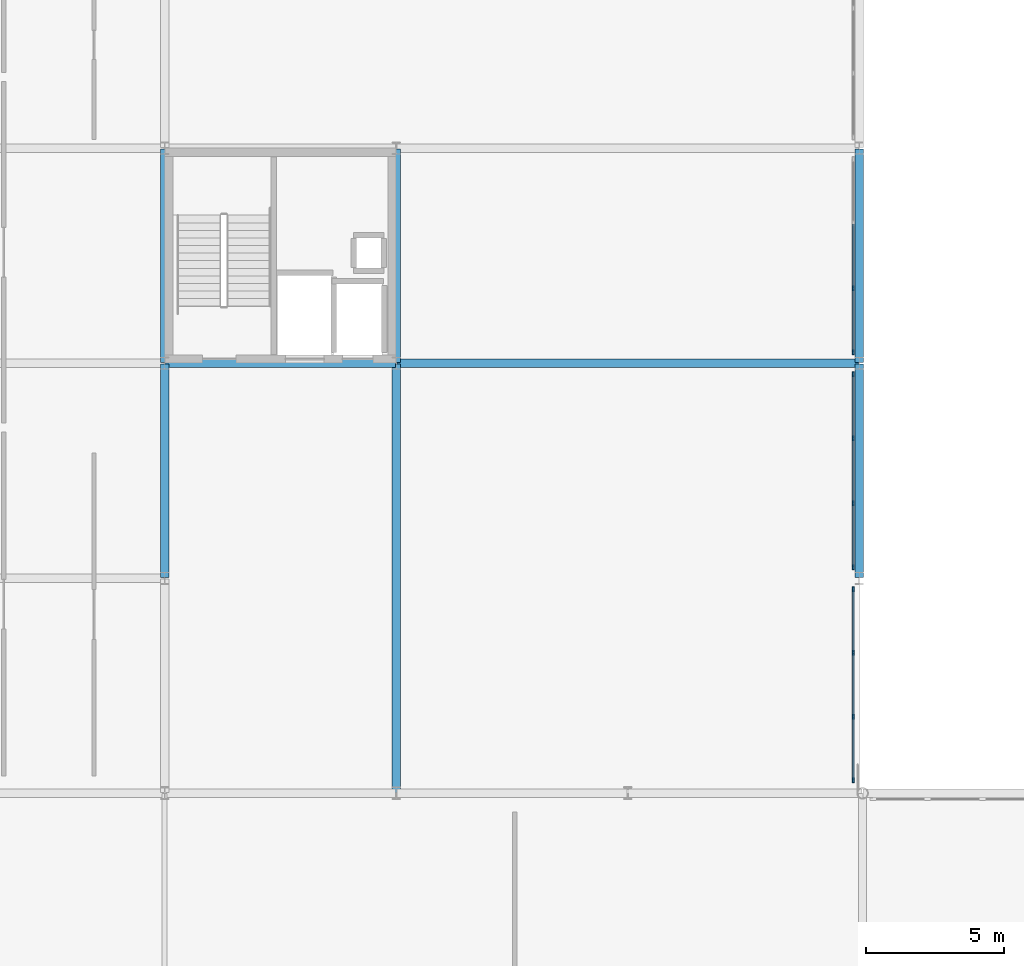
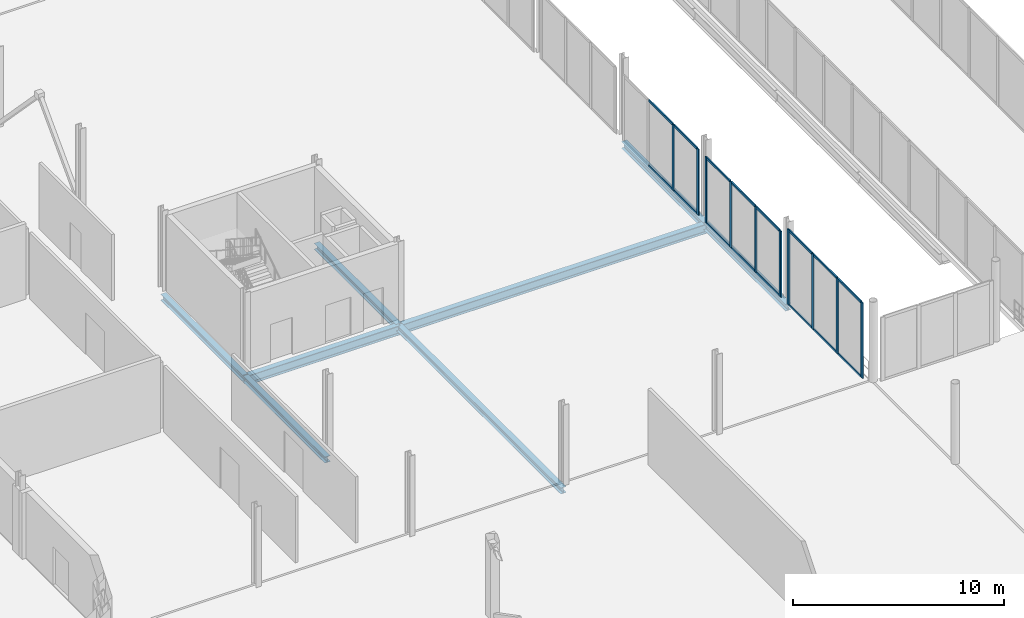
# One storey, part 27 of 98: 26 members, 8 beams, 3 elements without a shape of their own.
"""IFC4 building model written with IfcOpenShell, lengths in metres."""

from ifc_helpers import new_model, si_unit, direction, frame, origin, origin_2d, place, context, subcontext, project, spatial, rectangle, i_section, extrude, material, material_profile, profile_set, type_object, element, aggregate, save


model = new_model("IFC4")

# Units and contexts
model_context = context("Model", 3, precision=1e-05, world=origin(), true_north=direction((0.0, 1.0)))
body_context = subcontext(model_context, "Body", "Model", "MODEL_VIEW")
ifc_project = project(units=[si_unit("LENGTHUNIT", "METRE"), si_unit("AREAUNIT", "SQUARE_METRE"), si_unit("VOLUMEUNIT", "CUBIC_METRE"), si_unit("PLANEANGLEUNIT", "RADIAN"), si_unit("MASSUNIT", "GRAM", prefix="KILO")], contexts=[model_context])

# Site, building, storey
site_placement = place(None, origin())
site = spatial("IfcSite", under=ifc_project, at=site_placement, CompositionType="ELEMENT")
building_placement = place(site_placement, origin())
building = spatial("IfcBuilding", under=site, at=building_placement, Name="Nabrawat Pavilion Hospital", CompositionType="ELEMENT")
storey_placement = place(building_placement, frame((0.0, 0.0, 10.199951171875)))
storey = spatial("IfcBuildingStorey", under=building, at=storey_placement, Name="L02", CompositionType="ELEMENT", Elevation=10.199951171875)

# Curtain wall, members
ifc_material_1 = material(Name="Anodised Aluminium", Category="aluminium")
curtain_wall_type = type_object("IfcCurtainWallType", Name="Healing Garden Cloister Curtain Wall", PredefinedType="USERDEFINED", material=ifc_material_1)
curtain_wall_1_placement = place(storey_placement, origin())
curtain_wall_1 = element("IfcCurtainWall", 1, at=curtain_wall_1_placement, inside=storey, type_object=curtain_wall_type, Name="L02 Healing Garden Cloister Curtain Wall 108", ObjectType="CURTAIN WALL", PredefinedType="USERDEFINED")
ifc_material_profile_1 = material_profile(ifc_material_1, rectangle(XDim=0.06494140625, YDim=0.179931640625, at=origin_2d()), Name="CWM 65x180")
ifc_profile_set_1 = profile_set([ifc_material_profile_1], Name="Anodised Aluminium")
member_type_1 = type_object("IfcMemberType", Name="Healing Garden Cloister Curtain Wall Mullion CWM 65x180", PredefinedType="MULLION", material=ifc_profile_set_1)
member_1_placement = place(storey_placement, frame((58.580078125, 39.472412109375, 0.0), z_axis=(0.0, 0.0, 1.0), x_axis=(-1.0, 0.0, 0.0)))
member_1 = element("IfcMember", 2, at=member_1_placement, type_object=member_type_1, Name="CW-CLN-01 mullion 1", PredefinedType="MULLION", context=body_context, shape_type="SweptSolid", body=[
    extrude(rectangle(XDim=0.06494140625, YDim=0.179931640625, at=origin_2d()), origin(), (0.0, 0.0, 1.0), 4.360107421875),
])
member_2_placement = place(storey_placement, frame((58.580078125, 41.771728515625, 0.0), z_axis=(0.0, 0.0, 1.0), x_axis=(-1.0, 0.0, 0.0)))
member_2 = element("IfcMember", 3, at=member_2_placement, type_object=member_type_1, Name="CW-CLN-01 mullion 2", PredefinedType="MULLION", context=body_context, shape_type="SweptSolid", body=[
    extrude(rectangle(XDim=0.06494140625, YDim=0.179931640625, at=origin_2d()), origin(), (0.0, 0.0, 1.0), 4.360107421875),
])
member_3_placement = place(storey_placement, frame((58.580078125, 44.103271484375, 0.0), z_axis=(0.0, 0.0, 1.0), x_axis=(-1.0, 0.0, 0.0)))
member_3 = element("IfcMember", 4, at=member_3_placement, type_object=member_type_1, Name="CW-CLN-01 mullion 3", PredefinedType="MULLION", context=body_context, shape_type="SweptSolid", body=[
    extrude(rectangle(XDim=0.06494140625, YDim=0.179931640625, at=origin_2d()), origin(), (0.0, 0.0, 1.0), 4.360107421875),
])
member_4_placement = place(storey_placement, frame((58.580078125, 46.402587890625, 0.0), z_axis=(0.0, 0.0, 1.0), x_axis=(-1.0, 0.0, 0.0)))
member_4 = element("IfcMember", 5, at=member_4_placement, type_object=member_type_1, Name="CW-CLN-01 mullion 4", PredefinedType="MULLION", context=body_context, shape_type="SweptSolid", body=[
    extrude(rectangle(XDim=0.06494140625, YDim=0.179931640625, at=origin_2d()), origin(), (0.0, 0.0, 1.0), 4.360107421875),
])

curtain_wall_2_placement = place(storey_placement, origin())
curtain_wall_2 = element("IfcCurtainWall", 6, at=curtain_wall_2_placement, inside=storey, type_object=curtain_wall_type, Name="L02 Healing Garden Cloister Curtain Wall 109", ObjectType="CURTAIN WALL", PredefinedType="USERDEFINED")
member_5_placement = place(storey_placement, frame((58.580078125, 47.197509765625, 0.0), z_axis=(0.0, 0.0, 1.0), x_axis=(-1.0, 0.0, 0.0)))
member_5 = element("IfcMember", 7, at=member_5_placement, type_object=member_type_1, Name="CW-CLN-01 mullion 1", PredefinedType="MULLION", context=body_context, shape_type="SweptSolid", body=[
    extrude(rectangle(XDim=0.06494140625, YDim=0.179931640625, at=origin_2d()), origin(), (0.0, 0.0, 1.0), 3.820068359375),
])
member_6_placement = place(storey_placement, frame((58.580078125, 49.521728515625, 0.0), z_axis=(0.0, 0.0, 1.0), x_axis=(-1.0, 0.0, 0.0)))
member_6 = element("IfcMember", 8, at=member_6_placement, type_object=member_type_1, Name="CW-CLN-01 mullion 2", PredefinedType="MULLION", context=body_context, shape_type="SweptSolid", body=[
    extrude(rectangle(XDim=0.06494140625, YDim=0.179931640625, at=origin_2d()), origin(), (0.0, 0.0, 1.0), 3.820068359375),
])
member_7_placement = place(storey_placement, frame((58.580078125, 51.87841796875, 0.0), z_axis=(0.0, 0.0, 1.0), x_axis=(-1.0, 0.0, 0.0)))
member_7 = element("IfcMember", 9, at=member_7_placement, type_object=member_type_1, Name="CW-CLN-01 mullion 3", PredefinedType="MULLION", context=body_context, shape_type="SweptSolid", body=[
    extrude(rectangle(XDim=0.06494140625, YDim=0.179931640625, at=origin_2d()), origin(), (0.0, 0.0, 1.0), 3.820068359375),
])
member_8_placement = place(storey_placement, frame((58.580078125, 54.202392578125, 0.0), z_axis=(0.0, 0.0, 1.0), x_axis=(-1.0, 0.0, 0.0)))
member_8 = element("IfcMember", 10, at=member_8_placement, type_object=member_type_1, Name="CW-CLN-01 mullion 4", PredefinedType="MULLION", context=body_context, shape_type="SweptSolid", body=[
    extrude(rectangle(XDim=0.06494140625, YDim=0.179931640625, at=origin_2d()), origin(), (0.0, 0.0, 1.0), 3.820068359375),
])

curtain_wall_3_placement = place(storey_placement, origin())
curtain_wall_3 = element("IfcCurtainWall", 11, at=curtain_wall_3_placement, inside=storey, type_object=curtain_wall_type, Name="L02 Healing Garden Cloister Curtain Wall 110", ObjectType="CURTAIN WALL", PredefinedType="USERDEFINED")
member_9_placement = place(storey_placement, frame((58.580078125, 54.99755859375, 0.0), z_axis=(0.0, 0.0, 1.0), x_axis=(-1.0, 0.0, 0.0)))
member_9 = element("IfcMember", 12, at=member_9_placement, type_object=member_type_1, Name="CW-CLN-01 mullion 1", PredefinedType="MULLION", context=body_context, shape_type="SweptSolid", body=[
    extrude(rectangle(XDim=0.06494140625, YDim=0.179931640625, at=origin_2d()), origin(), (0.0, 0.0, 1.0), 3.820068359375),
])
member_10_placement = place(storey_placement, frame((58.580078125, 57.32177734375, 0.0), z_axis=(0.0, 0.0, 1.0), x_axis=(-1.0, 0.0, 0.0)))
member_10 = element("IfcMember", 13, at=member_10_placement, type_object=member_type_1, Name="CW-CLN-01 mullion 2", PredefinedType="MULLION", context=body_context, shape_type="SweptSolid", body=[
    extrude(rectangle(XDim=0.06494140625, YDim=0.179931640625, at=origin_2d()), origin(), (0.0, 0.0, 1.0), 3.820068359375),
])

# Member
ifc_material_profile_2 = material_profile(ifc_material_1, rectangle(XDim=0.06494140625, YDim=0.135009765625, at=origin_2d()), Name="CWT 65x135")
ifc_profile_set_2 = profile_set([ifc_material_profile_2], Name="Anodised Aluminium")
member_type_2 = type_object("IfcMemberType", Name="Healing Garden Cloister Curtain Wall Transom CWT 65x135", PredefinedType="USERDEFINED", material=ifc_profile_set_2)
member_11_placement = place(storey_placement, frame((58.580078125, 39.5048828125, 0.032470703125), z_axis=(0.0, 1.0, 0.0), x_axis=(-1.0, 0.0, 0.0)))
member_11 = element("IfcMember", 14, at=member_11_placement, type_object=member_type_2, Name="CW-CLN-01 transom 1.1", ObjectType="TRANSOM", PredefinedType="USERDEFINED", context=body_context, shape_type="SweptSolid", body=[
    extrude(rectangle(XDim=0.06494140625, YDim=0.135009765625, at=origin_2d()), origin(), (0.0, 0.0, 1.0), 2.234375),
])

member_12_placement = place(storey_placement, frame((58.580078125, 39.5048828125, 4.32763671875), z_axis=(0.0, 1.0, 0.0), x_axis=(-1.0, 0.0, 0.0)))
member_12 = element("IfcMember", 15, at=member_12_placement, type_object=member_type_2, Name="CW-CLN-01 transom 1.2", ObjectType="TRANSOM", PredefinedType="USERDEFINED", context=body_context, shape_type="SweptSolid", body=[
    extrude(rectangle(XDim=0.06494140625, YDim=0.135009765625, at=origin_2d()), origin(), (0.0, 0.0, 1.0), 2.234375),
])

member_13_placement = place(storey_placement, frame((58.580078125, 41.80419921875, 0.032470703125), z_axis=(0.0, 1.0, 0.0), x_axis=(-1.0, 0.0, 0.0)))
member_13 = element("IfcMember", 16, at=member_13_placement, type_object=member_type_2, Name="CW-CLN-01 transom 2.1", ObjectType="TRANSOM", PredefinedType="USERDEFINED", context=body_context, shape_type="SweptSolid", body=[
    extrude(rectangle(XDim=0.06494140625, YDim=0.135009765625, at=origin_2d()), origin(), (0.0, 0.0, 1.0), 2.2666015625),
])

member_14_placement = place(storey_placement, frame((58.580078125, 41.80419921875, 4.32763671875), z_axis=(0.0, 1.0, 0.0), x_axis=(-1.0, 0.0, 0.0)))
member_14 = element("IfcMember", 17, at=member_14_placement, type_object=member_type_2, Name="CW-CLN-01 transom 2.2", ObjectType="TRANSOM", PredefinedType="USERDEFINED", context=body_context, shape_type="SweptSolid", body=[
    extrude(rectangle(XDim=0.06494140625, YDim=0.135009765625, at=origin_2d()), origin(), (0.0, 0.0, 1.0), 2.2666015625),
])

member_15_placement = place(storey_placement, frame((58.580078125, 44.1357421875, 0.032470703125), z_axis=(0.0, 1.0, 0.0), x_axis=(-1.0, 0.0, 0.0)))
member_15 = element("IfcMember", 18, at=member_15_placement, type_object=member_type_2, Name="CW-CLN-01 transom 3.1", ObjectType="TRANSOM", PredefinedType="USERDEFINED", context=body_context, shape_type="SweptSolid", body=[
    extrude(rectangle(XDim=0.06494140625, YDim=0.135009765625, at=origin_2d()), origin(), (0.0, 0.0, 1.0), 2.234375),
])

member_16_placement = place(storey_placement, frame((58.580078125, 44.1357421875, 4.32763671875), z_axis=(0.0, 1.0, 0.0), x_axis=(-1.0, 0.0, 0.0)))
member_16 = element("IfcMember", 19, at=member_16_placement, type_object=member_type_2, Name="CW-CLN-01 transom 3.2", ObjectType="TRANSOM", PredefinedType="USERDEFINED", context=body_context, shape_type="SweptSolid", body=[
    extrude(rectangle(XDim=0.06494140625, YDim=0.135009765625, at=origin_2d()), origin(), (0.0, 0.0, 1.0), 2.234375),
])

aggregate(curtain_wall_1, [member_1, member_2, member_3, member_4, member_11, member_12, member_13, member_14, member_15, member_16])

member_17_placement = place(storey_placement, frame((58.580078125, 47.22998046875, 0.032470703125), z_axis=(0.0, 1.0, 0.0), x_axis=(-1.0, 0.0, 0.0)))
member_17 = element("IfcMember", 20, at=member_17_placement, type_object=member_type_2, Name="CW-CLN-01 transom 1.1", ObjectType="TRANSOM", PredefinedType="USERDEFINED", context=body_context, shape_type="SweptSolid", body=[
    extrude(rectangle(XDim=0.06494140625, YDim=0.135009765625, at=origin_2d()), origin(), (0.0, 0.0, 1.0), 2.25927734375),
])

member_18_placement = place(storey_placement, frame((58.580078125, 47.22998046875, 3.78759765625), z_axis=(0.0, 1.0, 0.0), x_axis=(-1.0, 0.0, 0.0)))
member_18 = element("IfcMember", 21, at=member_18_placement, type_object=member_type_2, Name="CW-CLN-01 transom 1.2", ObjectType="TRANSOM", PredefinedType="USERDEFINED", context=body_context, shape_type="SweptSolid", body=[
    extrude(rectangle(XDim=0.06494140625, YDim=0.135009765625, at=origin_2d()), origin(), (0.0, 0.0, 1.0), 2.25927734375),
])

member_19_placement = place(storey_placement, frame((58.580078125, 49.55419921875, 0.032470703125), z_axis=(0.0, 1.0, 0.0), x_axis=(-1.0, 0.0, 0.0)))
member_19 = element("IfcMember", 22, at=member_19_placement, type_object=member_type_2, Name="CW-CLN-01 transom 2.1", ObjectType="TRANSOM", PredefinedType="USERDEFINED", context=body_context, shape_type="SweptSolid", body=[
    extrude(rectangle(XDim=0.06494140625, YDim=0.135009765625, at=origin_2d()), origin(), (0.0, 0.0, 1.0), 2.291748046875),
])

member_20_placement = place(storey_placement, frame((58.580078125, 49.55419921875, 3.78759765625), z_axis=(0.0, 1.0, 0.0), x_axis=(-1.0, 0.0, 0.0)))
member_20 = element("IfcMember", 23, at=member_20_placement, type_object=member_type_2, Name="CW-CLN-01 transom 2.2", ObjectType="TRANSOM", PredefinedType="USERDEFINED", context=body_context, shape_type="SweptSolid", body=[
    extrude(rectangle(XDim=0.06494140625, YDim=0.135009765625, at=origin_2d()), origin(), (0.0, 0.0, 1.0), 2.291748046875),
])

member_21_placement = place(storey_placement, frame((58.580078125, 51.910888671875, 0.032470703125), z_axis=(0.0, 1.0, 0.0), x_axis=(-1.0, 0.0, 0.0)))
member_21 = element("IfcMember", 24, at=member_21_placement, type_object=member_type_2, Name="CW-CLN-01 transom 3.1", ObjectType="TRANSOM", PredefinedType="USERDEFINED", context=body_context, shape_type="SweptSolid", body=[
    extrude(rectangle(XDim=0.06494140625, YDim=0.135009765625, at=origin_2d()), origin(), (0.0, 0.0, 1.0), 2.259033203125),
])

member_22_placement = place(storey_placement, frame((58.580078125, 51.910888671875, 3.78759765625), z_axis=(0.0, 1.0, 0.0), x_axis=(-1.0, 0.0, 0.0)))
member_22 = element("IfcMember", 25, at=member_22_placement, type_object=member_type_2, Name="CW-CLN-01 transom 3.2", ObjectType="TRANSOM", PredefinedType="USERDEFINED", context=body_context, shape_type="SweptSolid", body=[
    extrude(rectangle(XDim=0.06494140625, YDim=0.135009765625, at=origin_2d()), origin(), (0.0, 0.0, 1.0), 2.259033203125),
])

aggregate(curtain_wall_2, [member_5, member_6, member_7, member_8, member_17, member_18, member_19, member_20, member_21, member_22])

member_23_placement = place(storey_placement, frame((58.580078125, 55.030029296875, 0.032470703125), z_axis=(0.0, 1.0, 0.0), x_axis=(-1.0, 0.0, 0.0)))
member_23 = element("IfcMember", 26, at=member_23_placement, type_object=member_type_2, Name="CW-CLN-01 transom 1.1", ObjectType="TRANSOM", PredefinedType="USERDEFINED", context=body_context, shape_type="SweptSolid", body=[
    extrude(rectangle(XDim=0.06494140625, YDim=0.135009765625, at=origin_2d()), origin(), (0.0, 0.0, 1.0), 2.259033203125),
])

member_24_placement = place(storey_placement, frame((58.580078125, 55.030029296875, 3.78759765625), z_axis=(0.0, 1.0, 0.0), x_axis=(-1.0, 0.0, 0.0)))
member_24 = element("IfcMember", 27, at=member_24_placement, type_object=member_type_2, Name="CW-CLN-01 transom 1.2", ObjectType="TRANSOM", PredefinedType="USERDEFINED", context=body_context, shape_type="SweptSolid", body=[
    extrude(rectangle(XDim=0.06494140625, YDim=0.135009765625, at=origin_2d()), origin(), (0.0, 0.0, 1.0), 2.259033203125),
])

member_25_placement = place(storey_placement, frame((58.580078125, 57.354248046875, 0.032470703125), z_axis=(0.0, 1.0, 0.0), x_axis=(-1.0, 0.0, 0.0)))
member_25 = element("IfcMember", 28, at=member_25_placement, type_object=member_type_2, Name="CW-CLN-01 transom 2.1", ObjectType="TRANSOM", PredefinedType="USERDEFINED", context=body_context, shape_type="SweptSolid", body=[
    extrude(rectangle(XDim=0.06494140625, YDim=0.135009765625, at=origin_2d()), origin(), (0.0, 0.0, 1.0), 2.29150390625),
])

member_26_placement = place(storey_placement, frame((58.580078125, 57.354248046875, 3.78759765625), z_axis=(0.0, 1.0, 0.0), x_axis=(-1.0, 0.0, 0.0)))
member_26 = element("IfcMember", 29, at=member_26_placement, type_object=member_type_2, Name="CW-CLN-01 transom 2.2", ObjectType="TRANSOM", PredefinedType="USERDEFINED", context=body_context, shape_type="SweptSolid", body=[
    extrude(rectangle(XDim=0.06494140625, YDim=0.135009765625, at=origin_2d()), origin(), (0.0, 0.0, 1.0), 2.29150390625),
])

aggregate(curtain_wall_3, [member_9, member_10, member_23, member_24, member_25, member_26])

# Beams
ifc_material_2 = material(Name="Steel S355", Category="steel")
ifc_material_profile_3 = material_profile(ifc_material_2, i_section(OverallWidth=0.300048828125, OverallDepth=0.389892578125, WebThickness=0.010986328125, FlangeThickness=0.01904296875, FilletRadius=0.027099609375, at=origin_2d()), Name="HEA 400")
ifc_profile_set_3 = profile_set([ifc_material_profile_3], Name="Steel S355")
beam_type_1 = type_object("IfcBeamType", Name="Perimeter Moment Spandrel Beam HEA 400", PredefinedType="SPANDREL", material=ifc_profile_set_3)
beam_1_placement = place(storey_placement, frame((58.800048828125, 46.820068359375, -0.46484375), z_axis=(0.0, 1.0, 0.0), x_axis=(-1.0, 0.0, 0.0)))
element("IfcBeam", 30, at=beam_1_placement, inside=storey, type_object=beam_type_1, Name="L02 Primary Y Beam 1226", PredefinedType="SPANDREL", context=body_context, shape_type="SweptSolid", body=[
    extrude(i_section(OverallWidth=0.300048828125, OverallDepth=0.389892578125, WebThickness=0.010986328125, FlangeThickness=0.01904296875, FilletRadius=0.027099609375, at=origin_2d()), origin(), (0.0, 0.0, 1.0), 7.760009765625),
])
beam_2_placement = place(storey_placement, frame((58.800048828125, 54.6201171875, -0.46484375), z_axis=(0.0, 1.0, 0.0), x_axis=(-1.0, 0.0, 0.0)))
element("IfcBeam", 31, at=beam_2_placement, inside=storey, type_object=beam_type_1, Name="L02 Primary Y Beam 1227", PredefinedType="SPANDREL", context=body_context, shape_type="SweptSolid", body=[
    extrude(i_section(OverallWidth=0.300048828125, OverallDepth=0.389892578125, WebThickness=0.010986328125, FlangeThickness=0.01904296875, FilletRadius=0.027099609375, at=origin_2d()), origin(), (0.0, 0.0, 1.0), 7.759765625),
])
ifc_material_profile_4 = material_profile(ifc_material_2, i_section(OverallWidth=0.300048828125, OverallDepth=0.5400390625, WebThickness=0.012451171875, FlangeThickness=0.02392578125, FilletRadius=0.027099609375, at=origin_2d()), Name="HEA 550")
ifc_profile_set_4 = profile_set([ifc_material_profile_4], Name="Steel S355")
beam_type_2 = type_object("IfcBeamType", Name="Primary Clinical Girder HEA 550", PredefinedType="USERDEFINED", material=ifc_profile_set_4)
beam_3_placement = place(storey_placement, frame((33.6201171875, 54.60009765625, -0.5400390625), z_axis=(1.0, 0.0, 0.0), x_axis=(0.0, 1.0, 0.0)))
element("IfcBeam", 32, at=beam_3_placement, inside=storey, type_object=beam_type_2, Name="L02 Primary X Girder 1028", ObjectType="GIRDER", PredefinedType="USERDEFINED", context=body_context, shape_type="SweptSolid", body=[
    extrude(i_section(OverallWidth=0.300048828125, OverallDepth=0.5400390625, WebThickness=0.012451171875, FlangeThickness=0.02392578125, FilletRadius=0.027099609375, at=origin_2d()), origin(), (0.0, 0.0, 1.0), 8.35986328125),
])
beam_4_placement = place(storey_placement, frame((42.02001953125, 54.60009765625, -0.5400390625), z_axis=(1.0, 0.0, 0.0), x_axis=(0.0, 1.0, 0.0)))
element("IfcBeam", 33, at=beam_4_placement, inside=storey, type_object=beam_type_2, Name="L02 Primary X Girder 1029", ObjectType="GIRDER", PredefinedType="USERDEFINED", context=body_context, shape_type="SweptSolid", body=[
    extrude(i_section(OverallWidth=0.300048828125, OverallDepth=0.5400390625, WebThickness=0.012451171875, FlangeThickness=0.02392578125, FilletRadius=0.027099609375, at=origin_2d()), origin(), (0.0, 0.0, 1.0), 16.760009765625),
])
ifc_material_profile_5 = material_profile(ifc_material_2, i_section(OverallWidth=0.300048828125, OverallDepth=0.35009765625, WebThickness=0.009521484375, FlangeThickness=0.017578125, FilletRadius=0.027099609375, at=origin_2d()), Name="HEA 360")
ifc_profile_set_5 = profile_set([ifc_material_profile_5], Name="Steel S355")
beam_type_3 = type_object("IfcBeamType", Name="Surgical Stiffened Beam HEA 360", PredefinedType="BEAM", material=ifc_profile_set_5)
beam_5_placement = place(storey_placement, frame((33.60009765625, 46.820068359375, -0.445068359375), z_axis=(0.0, 1.0, 0.0), x_axis=(-1.0, 0.0, 0.0)))
element("IfcBeam", 34, at=beam_5_placement, inside=storey, type_object=beam_type_3, Name="L02 Primary Y Beam 1214", PredefinedType="BEAM", context=body_context, shape_type="SweptSolid", body=[
    extrude(i_section(OverallWidth=0.300048828125, OverallDepth=0.35009765625, WebThickness=0.009521484375, FlangeThickness=0.017578125, FilletRadius=0.027099609375, at=origin_2d()), origin(), (0.0, 0.0, 1.0), 7.760009765625),
])
beam_6_placement = place(storey_placement, frame((33.60009765625, 54.6201171875, -0.445068359375), z_axis=(0.0, 1.0, 0.0), x_axis=(-1.0, 0.0, 0.0)))
element("IfcBeam", 35, at=beam_6_placement, inside=storey, type_object=beam_type_3, Name="L02 Primary Y Beam 1215", PredefinedType="BEAM", context=body_context, shape_type="SweptSolid", body=[
    extrude(i_section(OverallWidth=0.300048828125, OverallDepth=0.35009765625, WebThickness=0.009521484375, FlangeThickness=0.017578125, FilletRadius=0.027099609375, at=origin_2d()), origin(), (0.0, 0.0, 1.0), 7.759765625),
])
beam_7_placement = place(storey_placement, frame((42.0, 39.02001953125, -0.445068359375), z_axis=(0.0, 1.0, 0.0), x_axis=(-1.0, 0.0, 0.0)))
element("IfcBeam", 36, at=beam_7_placement, inside=storey, type_object=beam_type_3, Name="L02 Primary Y Beam 1223", PredefinedType="BEAM", context=body_context, shape_type="SweptSolid", body=[
    extrude(i_section(OverallWidth=0.300048828125, OverallDepth=0.35009765625, WebThickness=0.009521484375, FlangeThickness=0.017578125, FilletRadius=0.027099609375, at=origin_2d()), origin(), (0.0, 0.0, 1.0), 15.56005859375),
])
beam_8_placement = place(storey_placement, frame((42.0, 54.6201171875, -0.445068359375), z_axis=(0.0, 1.0, 0.0), x_axis=(-1.0, 0.0, 0.0)))
element("IfcBeam", 37, at=beam_8_placement, inside=storey, type_object=beam_type_3, Name="L02 Primary Y Beam 1224", PredefinedType="BEAM", context=body_context, shape_type="SweptSolid", body=[
    extrude(i_section(OverallWidth=0.300048828125, OverallDepth=0.35009765625, WebThickness=0.009521484375, FlangeThickness=0.017578125, FilletRadius=0.027099609375, at=origin_2d()), origin(), (0.0, 0.0, 1.0), 7.759765625),
])

save(model, "model.ifc")
